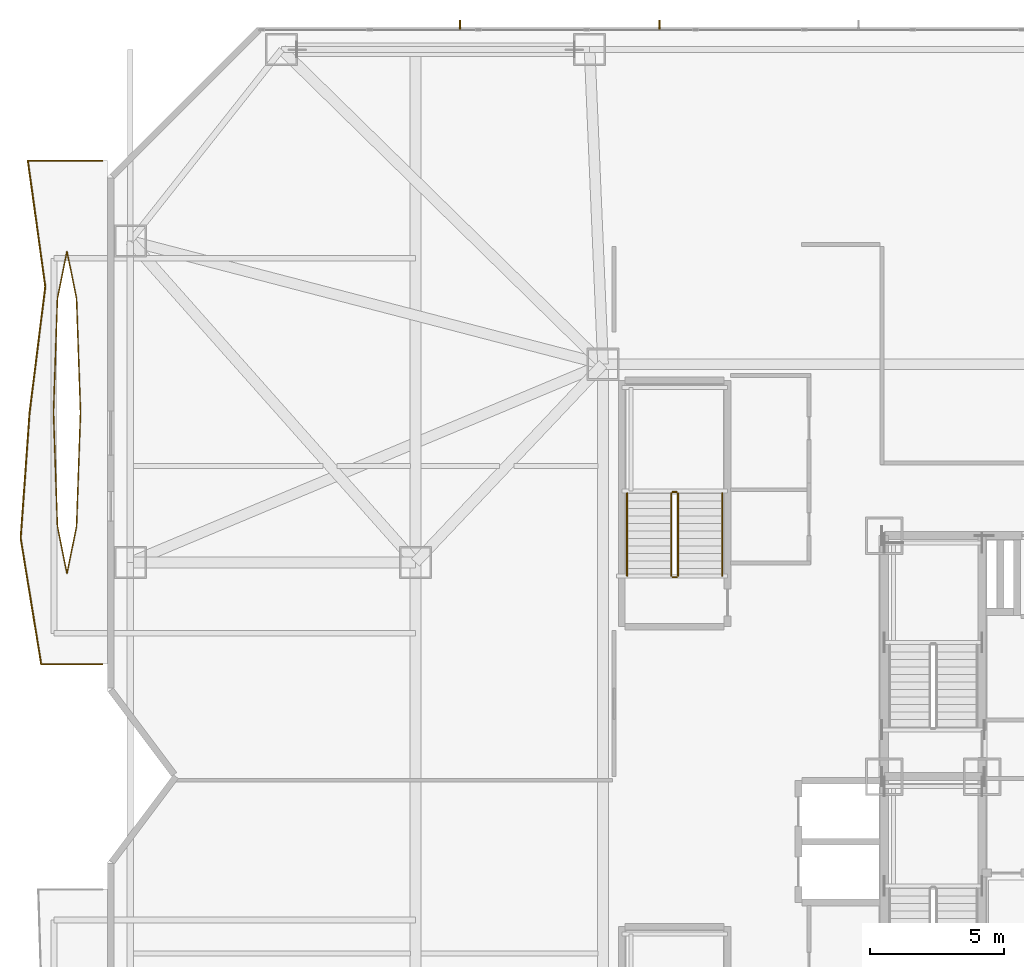
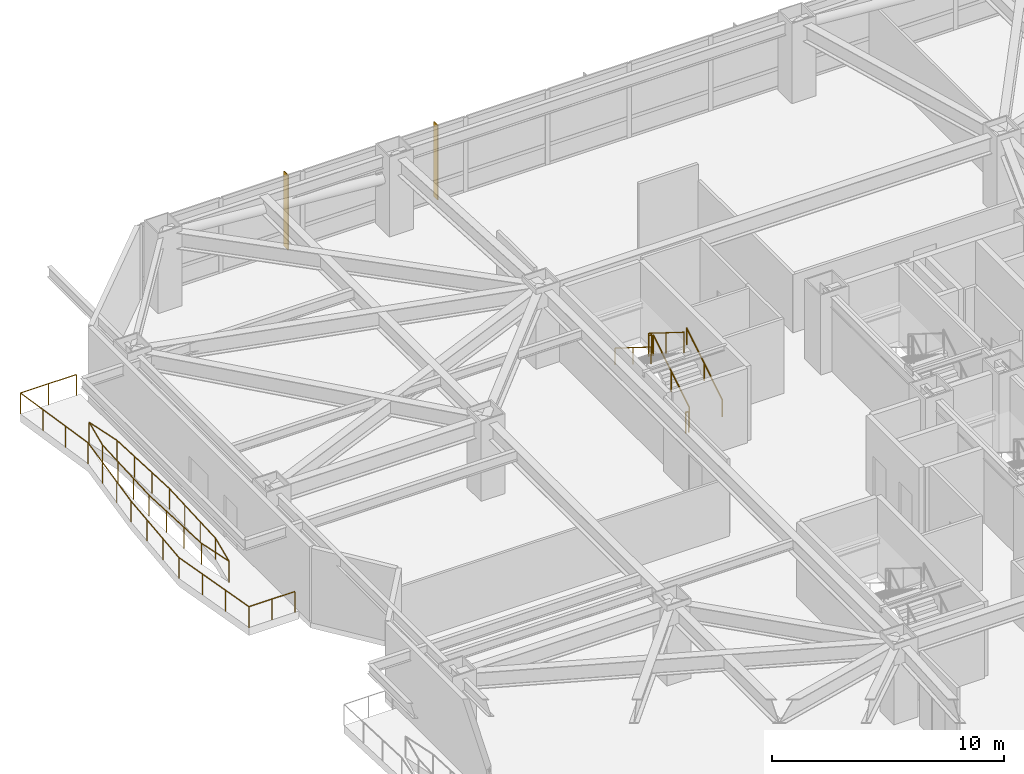
# One storey, part 23 of 25: 10 railings, 2 shading devices.
"""IFC4 building model written with IfcOpenShell, lengths in metres."""

from ifc_helpers import new_model, si_unit, direction, frame, origin, origin_2d, place, context, subcontext, project, spatial, rectangle, circle, extrude, material, type_object, element, save


model = new_model("IFC4")

# Units and contexts
model_context = context("Model", 3, precision=1e-05, world=origin(), true_north=direction((0.0, 1.0)))
body_context = subcontext(model_context, "Body", "Model", "MODEL_VIEW")
ifc_project = project(units=[si_unit("LENGTHUNIT", "METRE"), si_unit("AREAUNIT", "SQUARE_METRE"), si_unit("VOLUMEUNIT", "CUBIC_METRE"), si_unit("PLANEANGLEUNIT", "RADIAN"), si_unit("MASSUNIT", "GRAM", prefix="KILO")], contexts=[model_context])

# Site, building, storey
site_placement = place(None, origin())
site = spatial("IfcSite", under=ifc_project, at=site_placement, CompositionType="ELEMENT")
building_placement = place(site_placement, origin())
building = spatial("IfcBuilding", under=site, at=building_placement, Name="Khamvora Tower", CompositionType="ELEMENT")
storey_placement = place(building_placement, frame((0.0, 0.0, 16.199951171875)))
storey = spatial("IfcBuildingStorey", under=building, at=storey_placement, Name="L03", CompositionType="ELEMENT", Elevation=16.199951171875)

# Railings
ifc_material_1 = material(Name="Stainless Steel 316 and Laminated Glass", Category="steel")
railing_type_1 = type_object("IfcRailingType", Name="RAL-GAL-1120", PredefinedType="GUARDRAIL", material=ifc_material_1)
railing_1_placement = place(storey_placement, frame((-0.199951171875, 32.199951171875, 0.0)))
element("IfcRailing", 1, at=railing_1_placement, inside=storey, type_object=railing_type_1, Name="L03 lens gallery south perimeter guardrail WL2", PredefinedType="GUARDRAIL", context=body_context, shape_type="SweptSolid", body=[
    extrude(circle(Radius=0.02392578125, at=origin_2d()), frame((0.0, 0.0, 1.09619140625), z_axis=(-1.0, 0.0, 0.0), x_axis=(0.0, -1.0, 0.0)), (0.0, 0.0, 1.0), 2.278076171875),
    extrude(circle(Radius=0.02392578125, at=origin_2d()), frame((-2.278076171875, 0.0, 1.09619140625), z_axis=(-0.161080943648, 0.98694119865, 0.0), x_axis=(-0.98694119865, -0.161080943648, 0.0)), (0.0, 0.0, 1.0), 4.76220703125),
    extrude(circle(Radius=0.02392578125, at=origin_2d()), frame((-3.045166015625, 4.699951171875, 1.09619140625), z_axis=(0.070672626485, 0.997499563842, 0.0), x_axis=(-0.997499563842, 0.070672626485, 0.0)), (0.0, 0.0, 1.0), 4.7119140625),
    extrude(circle(Radius=0.02099609375, at=origin_2d()), origin(), (0.0, 0.0, 1.0), 1.072021484375),
    extrude(circle(Radius=0.02099609375, at=origin_2d()), frame((-1.13916015625, 0.0, 0.0)), (0.0, 0.0, 1.0), 1.072021484375),
    extrude(circle(Radius=0.02099609375, at=origin_2d()), frame((-2.278076171875, 0.0, 0.0)), (0.0, 0.0, 1.0), 1.072021484375),
    extrude(circle(Radius=0.02099609375, at=origin_2d()), frame((-2.53369140625, 1.566650390625, 0.0)), (0.0, 0.0, 1.0), 1.072021484375),
    extrude(circle(Radius=0.02099609375, at=origin_2d()), frame((-2.78955078125, 3.13330078125, 0.0)), (0.0, 0.0, 1.0), 1.072021484375),
    extrude(circle(Radius=0.02099609375, at=origin_2d()), frame((-3.045166015625, 4.699951171875, 0.0)), (0.0, 0.0, 1.0), 1.072021484375),
    extrude(circle(Radius=0.02099609375, at=origin_2d()), frame((-2.93408203125, 6.2666015625, 0.0)), (0.0, 0.0, 1.0), 1.072021484375),
    extrude(circle(Radius=0.02099609375, at=origin_2d()), frame((-2.8232421875, 7.83349609375, 0.0)), (0.0, 0.0, 1.0), 1.072021484375),
    extrude(circle(Radius=0.02099609375, at=origin_2d()), frame((-2.712158203125, 9.400146484375, 0.0)), (0.0, 0.0, 1.0), 1.072021484375),
])
railing_2_placement = place(storey_placement, frame((-2.912109375, 41.60009765625, 0.0)))
element("IfcRailing", 2, at=railing_2_placement, inside=storey, type_object=railing_type_1, Name="L03 lens gallery north perimeter guardrail WL2", PredefinedType="GUARDRAIL", context=body_context, shape_type="SweptSolid", body=[
    extrude(circle(Radius=0.02392578125, at=origin_2d()), frame((0.0, 0.0, 1.09619140625), z_axis=(0.123761932639, 0.992311938873, 0.0), x_axis=(-0.992311938873, 0.123761932639, 0.0)), (0.0, 0.0, 1.0), 4.736328125),
    extrude(circle(Radius=0.02392578125, at=origin_2d()), frame((0.586181640625, 4.699951171875, 1.09619140625), z_axis=(-0.137227622068, 0.990539539716, 0.0), x_axis=(-0.990539539716, -0.137227622068, 0.0)), (0.0, 0.0, 1.0), 4.744873046875),
    extrude(circle(Radius=0.02392578125, at=origin_2d()), frame((-0.06494140625, 9.39990234375, 1.09619140625), z_axis=(1.0, 0.0, 0.0), x_axis=(0.0, 1.0, 0.0)), (0.0, 0.0, 1.0), 2.777099609375),
    extrude(circle(Radius=0.02099609375, at=origin_2d()), origin(), (0.0, 0.0, 1.0), 1.072021484375),
    extrude(circle(Radius=0.02099609375, at=origin_2d()), frame((0.1953125, 1.566650390625, 0.0)), (0.0, 0.0, 1.0), 1.072021484375),
    extrude(circle(Radius=0.02099609375, at=origin_2d()), frame((0.390869140625, 3.13330078125, 0.0)), (0.0, 0.0, 1.0), 1.072021484375),
    extrude(circle(Radius=0.02099609375, at=origin_2d()), frame((0.586181640625, 4.699951171875, 0.0)), (0.0, 0.0, 1.0), 1.072021484375),
    extrude(circle(Radius=0.02099609375, at=origin_2d()), frame((0.369140625, 6.2666015625, 0.0)), (0.0, 0.0, 1.0), 1.072021484375),
    extrude(circle(Radius=0.02099609375, at=origin_2d()), frame((0.152099609375, 7.833251953125, 0.0)), (0.0, 0.0, 1.0), 1.072021484375),
    extrude(circle(Radius=0.02099609375, at=origin_2d()), frame((-0.06494140625, 9.39990234375, 0.0)), (0.0, 0.0, 1.0), 1.072021484375),
    extrude(circle(Radius=0.02099609375, at=origin_2d()), frame((1.32373046875, 9.39990234375, 0.0)), (0.0, 0.0, 1.0), 1.072021484375),
    extrude(circle(Radius=0.02099609375, at=origin_2d()), frame((2.712158203125, 9.39990234375, 0.0)), (0.0, 0.0, 1.0), 1.072021484375),
])
railing_3_placement = place(storey_placement, frame((-1.010986328125, 41.60009765625, 0.0)))
element("IfcRailing", 3, at=railing_3_placement, inside=storey, type_object=railing_type_1, Name="L03 lens gallery void guardrail WL2A", PredefinedType="GUARDRAIL", context=body_context, shape_type="SweptSolid", body=[
    extrude(circle(Radius=0.02392578125, at=origin_2d()), frame((0.0, 0.0, 1.09619140625), z_axis=(-0.034758598303, 0.999395737355, 0.0), x_axis=(-0.999395737355, -0.034758598303, 0.0)), (0.0, 0.0, 1.0), 4.256591796875),
    extrude(circle(Radius=0.02392578125, at=origin_2d()), frame((-0.14794921875, 4.25390625, 1.09619140625), z_axis=(-0.198022438185, 0.980197487232, 0.0), x_axis=(-0.980197487232, -0.198022438185, 0.0)), (0.0, 0.0, 1.0), 1.797607421875),
    extrude(circle(Radius=0.02392578125, at=origin_2d()), frame((-0.50390625, 6.015869140625, 1.09619140625), z_axis=(-0.198152924969, -0.98017111686, 0.0), x_axis=(0.98017111686, -0.198152924969, 0.0)), (0.0, 0.0, 1.0), 1.797607421875),
    extrude(circle(Radius=0.02392578125, at=origin_2d()), frame((-0.860107421875, 4.25390625, 1.09619140625), z_axis=(-0.034758598303, -0.999395737355, 0.0), x_axis=(0.999395737355, -0.034758598303, 0.0)), (0.0, 0.0, 1.0), 4.256591796875),
    extrude(circle(Radius=0.02099609375, at=origin_2d()), origin(), (0.0, 0.0, 1.0), 1.072021484375),
    extrude(circle(Radius=0.02099609375, at=origin_2d()), frame((-0.04931640625, 1.41796875, 0.0)), (0.0, 0.0, 1.0), 1.072021484375),
    extrude(circle(Radius=0.02099609375, at=origin_2d()), frame((-0.0986328125, 2.8359375, 0.0)), (0.0, 0.0, 1.0), 1.072021484375),
    extrude(circle(Radius=0.02099609375, at=origin_2d()), frame((-0.14794921875, 4.25390625, 0.0)), (0.0, 0.0, 1.0), 1.072021484375),
    extrude(circle(Radius=0.02099609375, at=origin_2d()), frame((-0.50390625, 6.015869140625, 0.0)), (0.0, 0.0, 1.0), 1.072021484375),
    extrude(circle(Radius=0.02099609375, at=origin_2d()), frame((-0.860107421875, 4.25390625, 0.0)), (0.0, 0.0, 1.0), 1.072021484375),
    extrude(circle(Radius=0.02099609375, at=origin_2d()), frame((-0.909423828125, 2.8359375, 0.0)), (0.0, 0.0, 1.0), 1.072021484375),
    extrude(circle(Radius=0.02099609375, at=origin_2d()), frame((-0.958740234375, 1.41796875, 0.0)), (0.0, 0.0, 1.0), 1.072021484375),
    extrude(circle(Radius=0.02099609375, at=origin_2d()), frame((-1.008056640625, 0.0, 0.0)), (0.0, 0.0, 1.0), 1.072021484375),
])
railing_4_placement = place(storey_placement, frame((-2.01904296875, 41.60009765625, 0.0)))
element("IfcRailing", 4, at=railing_4_placement, inside=storey, type_object=railing_type_1, Name="L03 lens gallery void guardrail WL2B", PredefinedType="GUARDRAIL", context=body_context, shape_type="SweptSolid", body=[
    extrude(circle(Radius=0.02392578125, at=origin_2d()), frame((0.0, 0.0, 1.09619140625), z_axis=(0.034756605959, -0.999395806646, 0.0), x_axis=(0.999395806646, 0.034756605959, 0.0)), (0.0, 0.0, 1.0), 4.2568359375),
    extrude(circle(Radius=0.02392578125, at=origin_2d()), frame((0.14794921875, -4.254150390625, 1.09619140625), z_axis=(0.198152924969, -0.98017111686, 0.0), x_axis=(0.98017111686, 0.198152924969, 0.0)), (0.0, 0.0, 1.0), 1.797607421875),
    extrude(circle(Radius=0.02392578125, at=origin_2d()), frame((0.504150390625, -6.01611328125, 1.09619140625), z_axis=(0.198022438185, 0.980197487232, 0.0), x_axis=(-0.980197487232, 0.198022438185, 0.0)), (0.0, 0.0, 1.0), 1.797607421875),
    extrude(circle(Radius=0.02392578125, at=origin_2d()), frame((0.860107421875, -4.254150390625, 1.09619140625), z_axis=(0.034756605959, 0.999395806646, 0.0), x_axis=(-0.999395806646, 0.034756605959, 0.0)), (0.0, 0.0, 1.0), 4.2568359375),
    extrude(circle(Radius=0.02099609375, at=origin_2d()), origin(), (0.0, 0.0, 1.0), 1.072021484375),
    extrude(circle(Radius=0.02099609375, at=origin_2d()), frame((0.04931640625, -1.41796875, 0.0)), (0.0, 0.0, 1.0), 1.072021484375),
    extrude(circle(Radius=0.02099609375, at=origin_2d()), frame((0.0986328125, -2.836181640625, 0.0)), (0.0, 0.0, 1.0), 1.072021484375),
    extrude(circle(Radius=0.02099609375, at=origin_2d()), frame((0.14794921875, -4.254150390625, 0.0)), (0.0, 0.0, 1.0), 1.072021484375),
    extrude(circle(Radius=0.02099609375, at=origin_2d()), frame((0.504150390625, -6.01611328125, 0.0)), (0.0, 0.0, 1.0), 1.072021484375),
    extrude(circle(Radius=0.02099609375, at=origin_2d()), frame((0.860107421875, -4.254150390625, 0.0)), (0.0, 0.0, 1.0), 1.072021484375),
    extrude(circle(Radius=0.02099609375, at=origin_2d()), frame((0.909423828125, -2.836181640625, 0.0)), (0.0, 0.0, 1.0), 1.072021484375),
    extrude(circle(Radius=0.02099609375, at=origin_2d()), frame((0.958740234375, -1.41796875, 0.0)), (0.0, 0.0, 1.0), 1.072021484375),
    extrude(circle(Radius=0.02099609375, at=origin_2d()), frame((1.008056640625, 0.0, 0.0)), (0.0, 0.0, 1.0), 1.072021484375),
])
ifc_material_2 = material(Name="Brushed Stainless Steel 316", Category="steel")
railing_type_2 = type_object("IfcRailingType", Name="RAL-HDR-920", PredefinedType="HANDRAIL", material=ifc_material_2)
railing_5_placement = place(storey_placement, frame((22.949951171875, 35.5, 0.175048828125)))
element("IfcRailing", 5, at=railing_5_placement, inside=storey, type_object=railing_type_2, Name="L03 ST-04 stair handrail 1", PredefinedType="HANDRAIL", context=body_context, shape_type="SweptSolid", body=[
    extrude(circle(Radius=0.02392578125, at=origin_2d()), frame((0.0, 0.0, 0.8759765625), z_axis=(0.0, 0.847998304005, 0.529998940003), x_axis=(-1.0, 0.0, 0.0)), (0.0, 0.0, 1.0), 3.632080078125),
    extrude(circle(Radius=0.02099609375, at=origin_2d()), origin(), (0.0, 0.0, 1.0), 0.851806640625),
    extrude(circle(Radius=0.02099609375, at=origin_2d()), frame((0.0, 1.5400390625, 0.96240234375)), (0.0, 0.0, 1.0), 0.851806640625),
    extrude(circle(Radius=0.02099609375, at=origin_2d()), frame((0.0, 3.080078125, 1.925048828125)), (0.0, 0.0, 1.0), 0.851806640625),
])
railing_6_placement = place(storey_placement, frame((19.39990234375, 38.580078125, 2.275146484375)))
element("IfcRailing", 6, at=railing_6_placement, inside=storey, type_object=railing_type_2, Name="L03 ST-04 stair handrail 2", PredefinedType="HANDRAIL", context=body_context, shape_type="SweptSolid", body=[
    extrude(circle(Radius=0.02392578125, at=origin_2d()), frame((0.0, 0.0, 0.8759765625), z_axis=(0.0, -0.848028513186, 0.529950602248), x_axis=(1.0, 0.0, 0.0)), (0.0, 0.0, 1.0), 3.632080078125),
    extrude(circle(Radius=0.02099609375, at=origin_2d()), origin(), (0.0, 0.0, 1.0), 0.851806640625),
    extrude(circle(Radius=0.02099609375, at=origin_2d()), frame((0.0, -1.5400390625, 0.96240234375)), (0.0, 0.0, 1.0), 0.851806640625),
    extrude(circle(Radius=0.02099609375, at=origin_2d()), frame((0.0, -3.080078125, 1.9248046875)), (0.0, 0.0, 1.0), 0.851806640625),
])
ifc_material_3 = material(Name="Stainless Steel 316", Category="steel")
railing_type_3 = type_object("IfcRailingType", Name="RAL-STG-1100", PredefinedType="GUARDRAIL", material=ifc_material_3)
railing_7_placement = place(storey_placement, frame((21.300048828125, 35.5, 0.175048828125)))
element("IfcRailing", 7, at=railing_7_placement, inside=storey, type_object=railing_type_3, Name="L03 ST-04 stair guard 1", PredefinedType="GUARDRAIL", context=body_context, shape_type="SweptSolid", body=[
    extrude(circle(Radius=0.02392578125, at=origin_2d()), frame((0.0, 0.0, 1.076171875), z_axis=(0.0, 0.847998304005, 0.529998940003), x_axis=(-1.0, 0.0, 0.0)), (0.0, 0.0, 1.0), 3.632080078125),
    extrude(circle(Radius=0.02099609375, at=origin_2d()), origin(), (0.0, 0.0, 1.0), 1.052001953125),
    extrude(circle(Radius=0.02099609375, at=origin_2d()), frame((0.0, 1.5400390625, 0.96240234375)), (0.0, 0.0, 1.0), 1.052001953125),
    extrude(circle(Radius=0.02099609375, at=origin_2d()), frame((0.0, 3.080078125, 1.925048828125)), (0.0, 0.0, 1.0), 1.052001953125),
])
railing_8_placement = place(storey_placement, frame((21.25, 38.6298828125, 2.10009765625)))
element("IfcRailing", 8, at=railing_8_placement, inside=storey, type_object=railing_type_3, Name="L03 ST-04 stair guard 2", PredefinedType="GUARDRAIL", context=body_context, shape_type="SweptSolid", body=[
    extrude(circle(Radius=0.02392578125, at=origin_2d()), frame((0.0, 0.0, 1.076171875), z_axis=(-1.0, 0.0, 0.0), x_axis=(0.0, -1.0, 0.0)), (0.0, 0.0, 1.0), 0.14990234375),
    extrude(circle(Radius=0.02099609375, at=origin_2d()), origin(), (0.0, 0.0, 1.0), 1.052001953125),
    extrude(circle(Radius=0.02099609375, at=origin_2d()), frame((-0.14990234375, 0.0, 0.0)), (0.0, 0.0, 1.0), 1.052001953125),
])
railing_9_placement = place(storey_placement, frame((21.050048828125, 38.580078125, 2.275146484375)))
element("IfcRailing", 9, at=railing_9_placement, inside=storey, type_object=railing_type_3, Name="L03 ST-04 stair guard 3", PredefinedType="GUARDRAIL", context=body_context, shape_type="SweptSolid", body=[
    extrude(circle(Radius=0.02392578125, at=origin_2d()), frame((0.0, 0.0, 1.076171875), z_axis=(0.0, -0.848028513186, 0.529950602248), x_axis=(1.0, 0.0, 0.0)), (0.0, 0.0, 1.0), 3.632080078125),
    extrude(circle(Radius=0.02099609375, at=origin_2d()), origin(), (0.0, 0.0, 1.0), 1.052001953125),
    extrude(circle(Radius=0.02099609375, at=origin_2d()), frame((0.0, -1.5400390625, 0.96240234375)), (0.0, 0.0, 1.0), 1.052001953125),
    extrude(circle(Radius=0.02099609375, at=origin_2d()), frame((0.0, -3.080078125, 1.9248046875)), (0.0, 0.0, 1.0), 1.052001953125),
])
railing_10_placement = place(storey_placement, frame((21.25, 35.449951171875, 0.0)))
element("IfcRailing", 10, at=railing_10_placement, inside=storey, type_object=railing_type_3, Name="L03 ST-04 stair guard 4", PredefinedType="GUARDRAIL", context=body_context, shape_type="SweptSolid", body=[
    extrude(circle(Radius=0.02392578125, at=origin_2d()), frame((0.0, 0.0, 1.076171875), z_axis=(-1.0, 0.0, 0.0), x_axis=(0.0, -1.0, 0.0)), (0.0, 0.0, 1.0), 0.14990234375),
    extrude(circle(Radius=0.02099609375, at=origin_2d()), origin(), (0.0, 0.0, 1.0), 1.052001953125),
    extrude(circle(Radius=0.02099609375, at=origin_2d()), frame((-0.14990234375, 0.0, 0.0)), (0.0, 0.0, 1.0), 1.052001953125),
])

# Shading devices
ifc_material_4 = material(Name="Anodised Bronze Aluminium 6063-T6", Category="aluminium")
shading_device_type = type_object("IfcShadingDeviceType", Name="SHD-FIN-350", PredefinedType="USERDEFINED", material=ifc_material_4)
for number, where, z_axis, x_axis, name in (
    (11, (13.1640625, 56.077880859375, 0.0), (0.0, 0.0, 1.0), (1.0, 0.0, 0.0), "L03 anodised bronze solar fin 07.01"),
    (12, (20.60107421875, 56.077880859375, 0.0), (0.0, 0.0, 1.0), (1.0, 0.0, 0.0), "L03 anodised bronze solar fin 07.02"),
):
    element("IfcShadingDevice", number, at=place(storey_placement, frame(where, z_axis=z_axis, x_axis=x_axis)), inside=storey, type_object=shading_device_type, Name=name, ObjectType="FIN", PredefinedType="USERDEFINED", context=body_context, shape_type="SweptSolid", body=[
        extrude(rectangle(XDim=0.054931640625, YDim=0.35009765625, at=origin_2d()), origin(), (0.0, 0.0, 1.0), 3.919921875),
    ])

save(model, "model.ifc")
